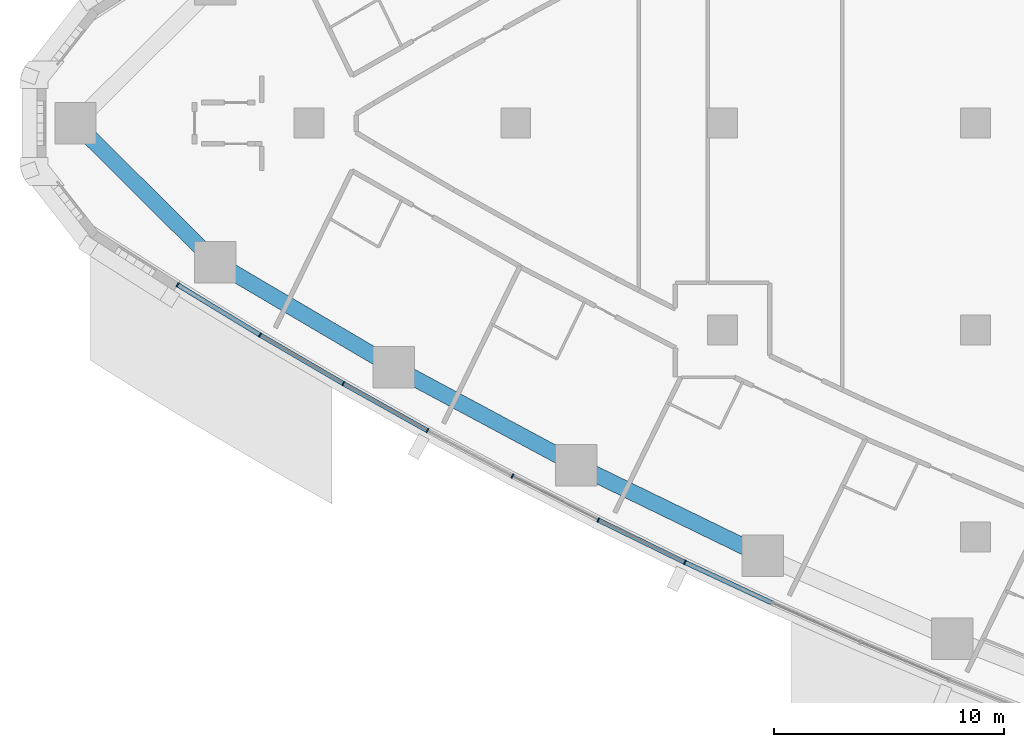
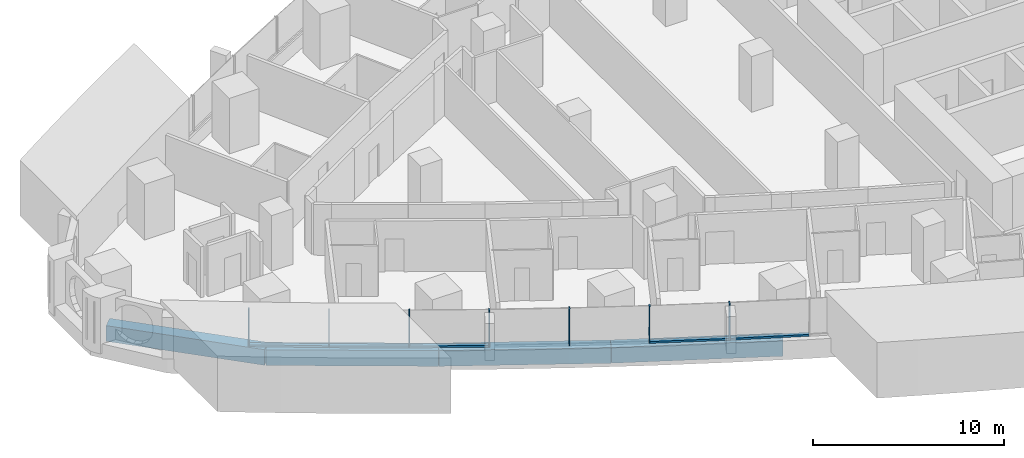
# One storey, part 2 of 19: 12 members, 4 beams, 3 elements without a shape of their own.
"""IFC4 building model written with IfcOpenShell, lengths in metres."""

from ifc_helpers import new_model, si_unit, direction, frame, origin, origin_2d, place, context, subcontext, project, spatial, rectangle, extrude, material, layer, layer_set, material_profile, profile_set, type_object, element, aggregate, save


model = new_model("IFC4")

# Units and contexts
model_context = context("Model", 3, precision=1e-05, world=origin(), true_north=direction((0.0, 1.0)))
body_context = subcontext(model_context, "Body", "Model", "MODEL_VIEW")
ifc_project = project(units=[si_unit("LENGTHUNIT", "METRE"), si_unit("AREAUNIT", "SQUARE_METRE"), si_unit("VOLUMEUNIT", "CUBIC_METRE"), si_unit("PLANEANGLEUNIT", "RADIAN"), si_unit("MASSUNIT", "GRAM", prefix="KILO")], contexts=[model_context])

# Site, building, storey
site_placement = place(None, origin())
site = spatial("IfcSite", under=ifc_project, at=site_placement, CompositionType="ELEMENT")
building_placement = place(site_placement, origin())
building = spatial("IfcBuilding", under=site, at=building_placement, Name="Ostrand Prow Hotel Tower", CompositionType="ELEMENT")
storey_placement = place(building_placement, frame((0.0, 0.0, 50.25)))
storey = spatial("IfcBuildingStorey", under=building, at=storey_placement, Name="L10", CompositionType="ELEMENT", Elevation=50.25)

# Beams
ifc_material_1 = material(Name="Concrete C80/95", Category="concrete")
ifc_material_profile_1 = material_profile(ifc_material_1, rectangle(XDim=0.699951171875, YDim=1.0, at=origin_2d()), Name="RC 700x1000")
ifc_profile_set_1 = profile_set([ifc_material_profile_1], Name="Concrete C80/95")
beam_type = type_object("IfcBeamType", Name="Edge beam 700x1000 C80/95", PredefinedType="SPANDREL", material=ifc_profile_set_1)
beam_1_placement = place(storey_placement, frame((5.848388671875, 0.0, -0.800048828125), z_axis=(0.709211674915, -0.70499560294, 0.0), x_axis=(0.70499560294, 0.709211674915, 0.0)))
element("IfcBeam", 1, at=beam_1_placement, inside=storey, type_object=beam_type, Name="Edge beam P-S1", PredefinedType="SPANDREL", context=body_context, shape_type="SweptSolid", body=[
    extrude(rectangle(XDim=0.699951171875, YDim=1.0, at=origin_2d()), origin(), (0.0, 0.0, 1.0), 8.5703125),
])
beam_2_placement = place(storey_placement, frame((11.926513671875, -6.0419921875, -0.800048828125), z_axis=(0.861725230108, -0.507375233722, 0.0), x_axis=(0.507375233722, 0.861725230108, 0.0)))
element("IfcBeam", 2, at=beam_2_placement, inside=storey, type_object=beam_type, Name="Edge beam S1-S2", PredefinedType="SPANDREL", context=body_context, shape_type="SweptSolid", body=[
    extrude(rectangle(XDim=0.699951171875, YDim=1.0, at=origin_2d()), origin(), (0.0, 0.0, 1.0), 9.012451171875),
])
beam_3_placement = place(storey_placement, frame((19.69287109375, -10.61474609375, -0.800048828125), z_axis=(0.881270074696, -0.472613008122, 0.0), x_axis=(0.472613008122, 0.881270074696, 0.0)))
element("IfcBeam", 3, at=beam_3_placement, inside=storey, type_object=beam_type, Name="Edge beam S2-S3", PredefinedType="SPANDREL", context=body_context, shape_type="SweptSolid", body=[
    extrude(rectangle(XDim=0.699951171875, YDim=1.0, at=origin_2d()), origin(), (0.0, 0.0, 1.0), 9.0126953125),
])
beam_4_placement = place(storey_placement, frame((27.635498046875, -14.874267578125, -0.800048828125), z_axis=(0.899382499202, -0.437162578601, 0.0), x_axis=(0.437162578601, 0.899382499202, 0.0)))
element("IfcBeam", 4, at=beam_4_placement, inside=storey, type_object=beam_type, Name="Edge beam S3-S4", PredefinedType="SPANDREL", context=body_context, shape_type="SweptSolid", body=[
    extrude(rectangle(XDim=0.699951171875, YDim=1.0, at=origin_2d()), origin(), (0.0, 0.0, 1.0), 9.012451171875),
])

# Curtain wall, members
ifc_material_2 = material(Name="Insulated glass in bronze anodised frame", Category="glass")
ifc_layer = layer(ifc_material_2, 0.199951171875)
ifc_layer_set = layer_set([ifc_layer], Name="Insulated glass in bronze anodised frame")
curtain_wall_type = type_object("IfcCurtainWallType", Name="Strip curtain wall, fritted glass over bronze spandrel", PredefinedType="NOTDEFINED", material=ifc_layer_set)
curtain_wall_1_placement = place(storey_placement, origin())
curtain_wall_1 = element("IfcCurtainWall", 5, at=curtain_wall_1_placement, inside=storey, type_object=curtain_wall_type, Name="CW1 run CWS1", PredefinedType="NOTDEFINED")
ifc_material_3 = material(Name="Bronze anodised aluminium", Category="aluminium")
ifc_material_profile_2 = material_profile(ifc_material_3, rectangle(XDim=0.199951171875, YDim=0.06005859375, at=origin_2d()), Name="Mullion 60x200 bronze anodised aluminium")
ifc_profile_set_2 = profile_set([ifc_material_profile_2], Name="Bronze anodised aluminium")
member_type_1 = type_object("IfcMemberType", Name="Mullion 60x200 bronze anodised aluminium", PredefinedType="MULLION", material=ifc_profile_set_2)
member_1_placement = place(storey_placement, frame((10.29443359375, -7.031494140625, 0.89990234375), z_axis=(0.0, 0.0, 1.0), x_axis=(0.519830761515, 0.854269266322, 0.0)))
member_1 = element("IfcMember", 6, at=member_1_placement, type_object=member_type_1, Name="CW1 mullion 1", PredefinedType="MULLION", context=body_context, shape_type="SweptSolid", body=[
    extrude(rectangle(XDim=0.199951171875, YDim=0.06005859375, at=origin_2d()), origin(), (0.0, 0.0, 1.0), 2.35009765625),
])
member_2_placement = place(storey_placement, frame((13.87744140625, -9.2119140625, 0.89990234375), z_axis=(0.0, 0.0, 1.0), x_axis=(0.50402272292, 0.863690392896, 0.0)))
member_2 = element("IfcMember", 7, at=member_2_placement, type_object=member_type_1, Name="CW1 mullion 2", PredefinedType="MULLION", context=body_context, shape_type="SweptSolid", body=[
    extrude(rectangle(XDim=0.199951171875, YDim=0.06005859375, at=origin_2d()), origin(), (0.0, 0.0, 1.0), 2.35009765625),
])
member_3_placement = place(storey_placement, frame((17.5, -11.325927734375, 0.89990234375), z_axis=(0.0, 0.0, 1.0), x_axis=(0.50402272292, 0.863690392896, 0.0)))
member_3 = element("IfcMember", 8, at=member_3_placement, type_object=member_type_1, Name="CW1 mullion 3", PredefinedType="MULLION", context=body_context, shape_type="SweptSolid", body=[
    extrude(rectangle(XDim=0.199951171875, YDim=0.06005859375, at=origin_2d()), origin(), (0.0, 0.0, 1.0), 2.35009765625),
])

curtain_wall_2_placement = place(storey_placement, origin())
curtain_wall_2 = element("IfcCurtainWall", 9, at=curtain_wall_2_placement, inside=storey, type_object=curtain_wall_type, Name="CW1 run CWS2", PredefinedType="NOTDEFINED")
member_4_placement = place(storey_placement, frame((21.160888671875, -13.372802734375, 0.89990234375), z_axis=(0.0, 0.0, 1.0), x_axis=(0.471899992481, 0.881652083929, 0.0)))
member_4 = element("IfcMember", 10, at=member_4_placement, type_object=member_type_1, Name="CW1 mullion 2", PredefinedType="MULLION", context=body_context, shape_type="SweptSolid", body=[
    extrude(rectangle(XDim=0.199951171875, YDim=0.06005859375, at=origin_2d()), origin(), (0.0, 0.0, 1.0), 2.35009765625),
])
member_5_placement = place(storey_placement, frame((24.858642578125, -15.35205078125, 0.89990234375), z_axis=(0.0, 0.0, 1.0), x_axis=(0.455596179055, 0.890186565631, 0.0)))
member_5 = element("IfcMember", 11, at=member_5_placement, type_object=member_type_1, Name="CW1 mullion 3", PredefinedType="MULLION", context=body_context, shape_type="SweptSolid", body=[
    extrude(rectangle(XDim=0.199951171875, YDim=0.06005859375, at=origin_2d()), origin(), (0.0, 0.0, 1.0), 2.35009765625),
])
member_6_placement = place(storey_placement, frame((28.59228515625, -17.262939453125, 0.89990234375), z_axis=(0.0, 0.0, 1.0), x_axis=(0.455596179055, 0.890186565631, 0.0)))
member_6 = element("IfcMember", 12, at=member_6_placement, type_object=member_type_1, Name="CW1 mullion 4", PredefinedType="MULLION", context=body_context, shape_type="SweptSolid", body=[
    extrude(rectangle(XDim=0.199951171875, YDim=0.06005859375, at=origin_2d()), origin(), (0.0, 0.0, 1.0), 2.35009765625),
])

# Curtain wall, member
curtain_wall_3_placement = place(storey_placement, origin())
curtain_wall_3 = element("IfcCurtainWall", 13, at=curtain_wall_3_placement, inside=storey, type_object=curtain_wall_type, Name="CW1 run CWS3", PredefinedType="NOTDEFINED")
member_7_placement = place(storey_placement, frame((32.360595703125, -19.10498046875, 0.89990234375), z_axis=(0.0, 0.0, 1.0), x_axis=(0.422529678615, 0.906349088757, 0.0)))
member_7 = element("IfcMember", 14, at=member_7_placement, type_object=member_type_1, Name="CW1 mullion 2", PredefinedType="MULLION", context=body_context, shape_type="SweptSolid", body=[
    extrude(rectangle(XDim=0.199951171875, YDim=0.06005859375, at=origin_2d()), origin(), (0.0, 0.0, 1.0), 2.35009765625),
])

# Member
ifc_material_4 = material(Name="Bronze anodised aluminium", Category="aluminium")
ifc_material_profile_3 = material_profile(ifc_material_4, rectangle(XDim=0.199951171875, YDim=0.1201171875, at=origin_2d()), Name="Transom 120x200 bronze anodised aluminium")
ifc_profile_set_3 = profile_set([ifc_material_profile_3], Name="Bronze anodised aluminium")
member_type_2 = type_object("IfcMemberType", Name="Transom 120x200 bronze anodised aluminium", PredefinedType="USERDEFINED", material=ifc_profile_set_3)
member_8_placement = place(storey_placement, frame((10.320068359375, -7.047119140625, 0.9599609375), z_axis=(0.8542612678, -0.519843905741, 0.0), x_axis=(0.519843905741, 0.8542612678, 0.0)))
member_8 = element("IfcMember", 15, at=member_8_placement, type_object=member_type_2, Name="CW1 transom 1.1", ObjectType="TRANSOM", PredefinedType="USERDEFINED", context=body_context, shape_type="SweptSolid", body=[
    extrude(rectangle(XDim=0.199951171875, YDim=0.1201171875, at=origin_2d()), origin(), (0.0, 0.0, 1.0), 4.13427734375),
])

member_9_placement = place(storey_placement, frame((13.9033203125, -9.22705078125, 0.9599609375), z_axis=(0.863697501622, -0.504010541251, 0.0), x_axis=(0.504010541251, 0.863697501622, 0.0)))
member_9 = element("IfcMember", 16, at=member_9_placement, type_object=member_type_2, Name="CW1 transom 2.1", ObjectType="TRANSOM", PredefinedType="USERDEFINED", context=body_context, shape_type="SweptSolid", body=[
    extrude(rectangle(XDim=0.199951171875, YDim=0.1201171875, at=origin_2d()), origin(), (0.0, 0.0, 1.0), 4.13427734375),
])

aggregate(curtain_wall_1, [member_1, member_2, member_3, member_8, member_9])

member_10_placement = place(storey_placement, frame((17.526123046875, -11.340576171875, 0.9599609375), z_axis=(0.872842137405, -0.488002667175, 0.0), x_axis=(0.488002667175, 0.872842137405, 0.0)))
member_10 = element("IfcMember", 17, at=member_10_placement, type_object=member_type_2, Name="CW1 transom 1.1", ObjectType="TRANSOM", PredefinedType="USERDEFINED", context=body_context, shape_type="SweptSolid", body=[
    extrude(rectangle(XDim=0.199951171875, YDim=0.1201171875, at=origin_2d()), origin(), (0.0, 0.0, 1.0), 4.13427734375),
])

aggregate(curtain_wall_2, [member_4, member_5, member_6, member_10])

member_11_placement = place(storey_placement, frame((28.619384765625, -17.276123046875, 0.9599609375), z_axis=(0.898395234758, -0.439187889364, 0.0), x_axis=(0.439187889364, 0.898395234758, 0.0)))
member_11 = element("IfcMember", 18, at=member_11_placement, type_object=member_type_2, Name="CW1 transom 1.1", ObjectType="TRANSOM", PredefinedType="USERDEFINED", context=body_context, shape_type="SweptSolid", body=[
    extrude(rectangle(XDim=0.199951171875, YDim=0.1201171875, at=origin_2d()), origin(), (0.0, 0.0, 1.0), 4.13427734375),
])

member_12_placement = place(storey_placement, frame((32.3876953125, -19.117431640625, 0.9599609375), z_axis=(0.906338458793, -0.422552479714, 0.0), x_axis=(0.422552479714, 0.906338458793, 0.0)))
member_12 = element("IfcMember", 19, at=member_12_placement, type_object=member_type_2, Name="CW1 transom 2.1", ObjectType="TRANSOM", PredefinedType="USERDEFINED", context=body_context, shape_type="SweptSolid", body=[
    extrude(rectangle(XDim=0.199951171875, YDim=0.1201171875, at=origin_2d()), origin(), (0.0, 0.0, 1.0), 4.134521484375),
])

aggregate(curtain_wall_3, [member_7, member_11, member_12])

save(model, "model.ifc")
